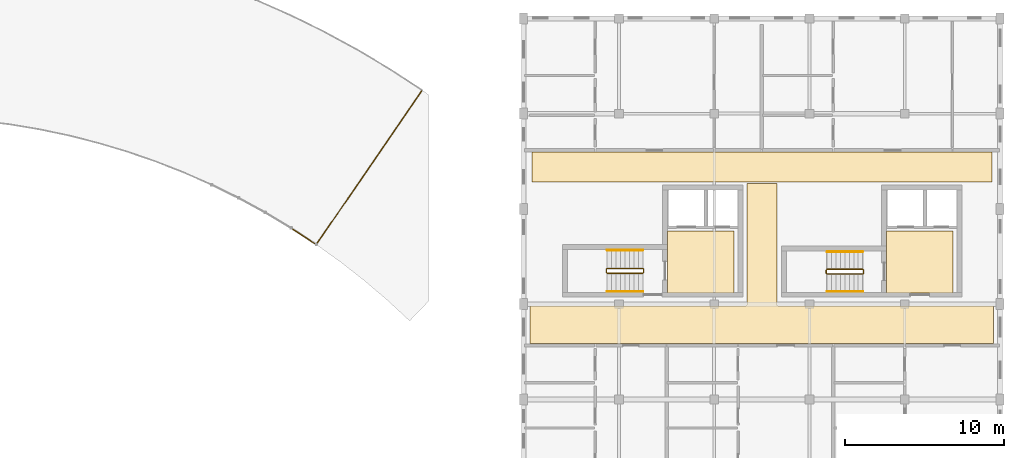
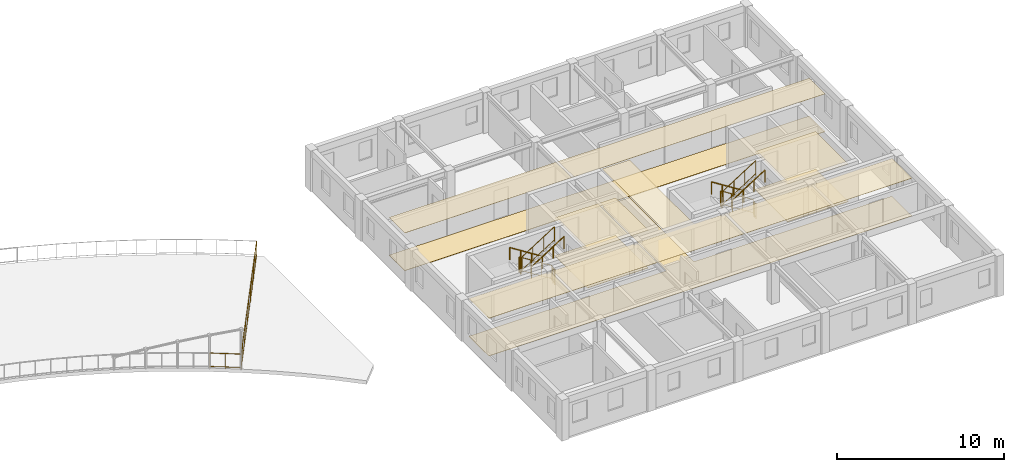
# One storey, part 57 of 58: 14 railings, 8 coverings.
"""IFC4 building model written with IfcOpenShell, lengths in metres."""

from ifc_helpers import new_model, si_unit, direction, frame, origin, origin_2d, place, context, subcontext, project, spatial, polyline, circle, outline, extrude, material, layer, layer_set, type_object, element, save


model = new_model("IFC4")

# Units and contexts
model_context = context("Model", 3, precision=1e-05, world=origin(), true_north=direction((0.0, 1.0)))
body_context = subcontext(model_context, "Body", "Model", "MODEL_VIEW")
ifc_project = project(units=[si_unit("LENGTHUNIT", "METRE"), si_unit("AREAUNIT", "SQUARE_METRE"), si_unit("VOLUMEUNIT", "CUBIC_METRE"), si_unit("PLANEANGLEUNIT", "RADIAN"), si_unit("MASSUNIT", "GRAM", prefix="KILO"), si_unit("POWERUNIT", "WATT"), si_unit("THERMODYNAMICTEMPERATUREUNIT", "KELVIN")], contexts=[model_context])

# Site, building, storey
site_placement = place(None, origin())
site = spatial("IfcSite", under=ifc_project, at=site_placement, CompositionType="ELEMENT")
building_placement = place(site_placement, origin())
building = spatial("IfcBuilding", under=site, at=building_placement, Name="Ruvembo Vaulted Housing Court", CompositionType="ELEMENT")
storey_placement = place(building_placement, frame((0.0, 0.0, 20.5)))
storey = spatial("IfcBuildingStorey", under=building, at=storey_placement, Name="L06", CompositionType="ELEMENT", Elevation=20.5)

# Coverings
ifc_material_1 = material(Name="Perforated Mineral-Fibre Acoustic Tile", Category="gypsum")
ifc_layer_1 = layer(ifc_material_1, 0.02001953125, Name="Perforated Mineral-Fibre Acoustic Tile")
ifc_layer_set_1 = layer_set([ifc_layer_1], Name="Perforated Mineral-Fibre Acoustic Tile")
covering_type_1 = type_object("IfcCoveringType", Name="COV-CEIL-ACOUST", PredefinedType="CEILING", material=ifc_layer_set_1)
covering_1_placement = place(storey_placement, frame((0.0, 0.0, 2.75)))
element("IfcCovering", 1, at=covering_1_placement, inside=storey, type_object=covering_type_1, Name="Protected Core Lobby D1 Ceiling", PredefinedType="CEILING", context=body_context, shape_type="SweptSolid", body=[
    extrude(outline(polyline([(169.25, 88.60009765625), (165.050048828125, 88.60009765625), (165.050048828125, 84.699951171875), (169.25, 84.699951171875), (169.25, 88.60009765625)])), origin(), (0.0, 0.0, 1.0), 0.02001953125),
])
covering_2_placement = place(storey_placement, frame((0.0, 0.0, 2.75)))
element("IfcCovering", 2, at=covering_2_placement, inside=storey, type_object=covering_type_1, Name="Protected Core Lobby D2 Ceiling", PredefinedType="CEILING", context=body_context, shape_type="SweptSolid", body=[
    extrude(outline(polyline([(183.050048828125, 88.60009765625), (178.85009765625, 88.60009765625), (178.85009765625, 84.699951171875), (183.050048828125, 84.699951171875), (183.050048828125, 88.60009765625)])), origin(), (0.0, 0.0, 1.0), 0.02001953125),
])
covering_3_placement = place(storey_placement, frame((0.0, 0.0, 2.75)))
element("IfcCovering", 3, at=covering_3_placement, inside=storey, type_object=covering_type_1, Name="Block D L06 Corridor Ceiling", PredefinedType="CEILING", context=body_context, shape_type="SweptSolid", body=[
    extrude(outline(polyline([(185.590087890625, 81.510009765625), (185.590087890625, 83.889892578125), (172.050048828125, 83.889892578125), (172.039306640625, 83.890380859375), (172.028564453125, 83.89208984375), (172.01806640625, 83.894775390625), (172.0078125, 83.8984375), (171.998046875, 83.903076171875), (171.989013671875, 83.908447265625), (171.980224609375, 83.9150390625), (171.97216796875, 83.922119140625), (171.965087890625, 83.93017578125), (171.95849609375, 83.93896484375), (171.952880859375, 83.947998046875), (171.948486328125, 83.9580078125), (171.944580078125, 83.968017578125), (171.942138671875, 83.978515625), (171.9404296875, 83.9892578125), (171.93994140625, 84.0), (171.93994140625, 91.590087890625), (170.06005859375, 91.590087890625), (170.06005859375, 84.0), (170.0595703125, 83.9892578125), (170.057861328125, 83.978515625), (170.055419921875, 83.968017578125), (170.051513671875, 83.9580078125), (170.047119140625, 83.947998046875), (170.04150390625, 83.93896484375), (170.034912109375, 83.93017578125), (170.02783203125, 83.922119140625), (170.019775390625, 83.9150390625), (170.010986328125, 83.908447265625), (170.001953125, 83.903076171875), (169.9921875, 83.8984375), (169.98193359375, 83.894775390625), (169.971435546875, 83.89208984375), (169.960693359375, 83.890380859375), (169.949951171875, 83.889892578125), (156.409912109375, 83.889892578125), (156.409912109375, 81.510009765625), (185.590087890625, 81.510009765625)])), origin(), (0.0, 0.0, 1.0), 0.02001953125),
])
covering_4_placement = place(storey_placement, frame((0.0, 0.0, 2.75)))
element("IfcCovering", 4, at=covering_4_placement, inside=storey, type_object=covering_type_1, Name="Block D L06 North Sub-Corridor Ceiling", PredefinedType="CEILING", context=body_context, shape_type="SweptSolid", body=[
    extrude(outline(polyline([(156.510009765625, 91.7099609375), (185.489990234375, 91.7099609375), (185.489990234375, 93.590087890625), (156.510009765625, 93.590087890625), (156.510009765625, 91.7099609375)])), origin(), (0.0, 0.0, 1.0), 0.02001953125),
])
ifc_material_2 = material(Name="Polished Cement-Aggregate Terrazzo", Category="stone")
ifc_layer_2 = layer(ifc_material_2, 0.02197265625, Name="Polished Cement-Aggregate Terrazzo")
ifc_layer_set_2 = layer_set([ifc_layer_2], Name="Polished Cement-Aggregate Terrazzo")
covering_type_2 = type_object("IfcCoveringType", Name="COV-FLR-CERAMIC", PredefinedType="FLOORING", material=ifc_layer_set_2)
covering_5_placement = place(storey_placement, origin())
element("IfcCovering", 5, at=covering_5_placement, inside=storey, type_object=covering_type_2, Name="Protected Core Lobby D1 Flooring", PredefinedType="FLOORING", context=body_context, shape_type="SweptSolid", body=[
    extrude(outline(polyline([(169.25, 88.60009765625), (165.050048828125, 88.60009765625), (165.050048828125, 84.699951171875), (169.25, 84.699951171875), (169.25, 88.60009765625)])), origin(), (0.0, 0.0, 1.0), 0.02197265625),
])
covering_6_placement = place(storey_placement, origin())
element("IfcCovering", 6, at=covering_6_placement, inside=storey, type_object=covering_type_2, Name="Protected Core Lobby D2 Flooring", PredefinedType="FLOORING", context=body_context, shape_type="SweptSolid", body=[
    extrude(outline(polyline([(183.050048828125, 88.60009765625), (178.85009765625, 88.60009765625), (178.85009765625, 84.699951171875), (183.050048828125, 84.699951171875), (183.050048828125, 88.60009765625)])), origin(), (0.0, 0.0, 1.0), 0.02197265625),
])
covering_7_placement = place(storey_placement, origin())
element("IfcCovering", 7, at=covering_7_placement, inside=storey, type_object=covering_type_2, Name="Block D L06 Corridor Flooring", PredefinedType="FLOORING", context=body_context, shape_type="SweptSolid", body=[
    extrude(outline(polyline([(185.590087890625, 81.510009765625), (185.590087890625, 83.889892578125), (172.050048828125, 83.889892578125), (172.039306640625, 83.890380859375), (172.028564453125, 83.89208984375), (172.01806640625, 83.894775390625), (172.0078125, 83.8984375), (171.998046875, 83.903076171875), (171.989013671875, 83.908447265625), (171.980224609375, 83.9150390625), (171.97216796875, 83.922119140625), (171.965087890625, 83.93017578125), (171.95849609375, 83.93896484375), (171.952880859375, 83.947998046875), (171.948486328125, 83.9580078125), (171.944580078125, 83.968017578125), (171.942138671875, 83.978515625), (171.9404296875, 83.9892578125), (171.93994140625, 84.0), (171.93994140625, 91.590087890625), (170.06005859375, 91.590087890625), (170.06005859375, 84.0), (170.0595703125, 83.9892578125), (170.057861328125, 83.978515625), (170.055419921875, 83.968017578125), (170.051513671875, 83.9580078125), (170.047119140625, 83.947998046875), (170.04150390625, 83.93896484375), (170.034912109375, 83.93017578125), (170.02783203125, 83.922119140625), (170.019775390625, 83.9150390625), (170.010986328125, 83.908447265625), (170.001953125, 83.903076171875), (169.9921875, 83.8984375), (169.98193359375, 83.894775390625), (169.971435546875, 83.89208984375), (169.960693359375, 83.890380859375), (169.949951171875, 83.889892578125), (156.409912109375, 83.889892578125), (156.409912109375, 81.510009765625), (185.590087890625, 81.510009765625)])), origin(), (0.0, 0.0, 1.0), 0.02197265625),
])
covering_8_placement = place(storey_placement, origin())
element("IfcCovering", 8, at=covering_8_placement, inside=storey, type_object=covering_type_2, Name="Block D L06 North Sub-Corridor Flooring", PredefinedType="FLOORING", context=body_context, shape_type="SweptSolid", body=[
    extrude(outline(polyline([(156.510009765625, 91.7099609375), (185.489990234375, 91.7099609375), (185.489990234375, 93.590087890625), (156.510009765625, 93.590087890625), (156.510009765625, 91.7099609375)])), origin(), (0.0, 0.0, 1.0), 0.02197265625),
])

# Railings
ifc_material_3 = material(Name="Galvanised Painted Steel and Laminated Glass", Category="steel")
ifc_layer_3 = layer(ifc_material_3, 0.070068359375, Name="Galvanised Painted Steel and Laminated Glass")
ifc_layer_set_3 = layer_set([ifc_layer_3], Name="Galvanised Painted Steel and Laminated Glass")
railing_type_1 = type_object("IfcRailingType", Name="RL-BALUST-1120", PredefinedType="BALUSTRADE", material=ifc_layer_set_3)
railing_1_placement = place(storey_placement, frame((141.343505859375, 88.794677734375, 0.0)))
element("IfcRailing", 9, at=railing_1_placement, inside=storey, type_object=railing_type_1, Name="L06 Perimeter Guard RL-EXT-L06-0853", PredefinedType="BALUSTRADE", context=body_context, shape_type="SweptSolid", body=[
    extrude(circle(Radius=0.02392578125, at=origin_2d()), frame((0.0, 0.0, 1.09619140625), z_axis=(0.835902452778, -0.548878027834, 0.0), x_axis=(0.548878027834, 0.835902452778, 0.0)), (0.0, 0.0, 1.0), 1.901123046875),
    extrude(circle(Radius=0.01806640625, at=origin_2d()), frame((0.0, 0.0, 0.1201171875), z_axis=(0.835902452778, -0.548878027834, 0.0), x_axis=(0.548878027834, 0.835902452778, 0.0)), (0.0, 0.0, 1.0), 1.901123046875),
    extrude(circle(Radius=0.02099609375, at=origin_2d()), origin(), (0.0, 0.0, 1.0), 1.072021484375),
    extrude(circle(Radius=0.02099609375, at=origin_2d()), frame((0.79443359375, -0.521728515625, 0.0)), (0.0, 0.0, 1.0), 1.072021484375),
    extrude(circle(Radius=0.02099609375, at=origin_2d()), frame((1.589111328125, -1.04345703125, 0.0)), (0.0, 0.0, 1.0), 1.072021484375),
])
railing_2_placement = place(storey_placement, frame((142.9326171875, 87.751220703125, 0.0)))
element("IfcRailing", 10, at=railing_2_placement, inside=storey, type_object=railing_type_1, Name="L06 Perimeter Guard RL-EXT-L06-0854", PredefinedType="BALUSTRADE", context=body_context, shape_type="SweptSolid", body=[
    extrude(circle(Radius=0.02392578125, at=origin_2d()), frame((0.0, 0.0, 1.09619140625), z_axis=(0.566210907392, 0.824260400814, 0.0), x_axis=(-0.824260400814, 0.566210907392, 0.0)), (0.0, 0.0, 1.0), 11.7998046875),
    extrude(circle(Radius=0.01806640625, at=origin_2d()), frame((0.0, 0.0, 0.1201171875), z_axis=(0.566210907392, 0.824260400814, 0.0), x_axis=(-0.824260400814, 0.566210907392, 0.0)), (0.0, 0.0, 1.0), 11.7998046875),
    extrude(circle(Radius=0.02099609375, at=origin_2d()), origin(), (0.0, 0.0, 1.0), 1.072021484375),
    extrude(circle(Radius=0.02099609375, at=origin_2d()), frame((0.668212890625, 0.97265625, 0.0)), (0.0, 0.0, 1.0), 1.072021484375),
    extrude(circle(Radius=0.02099609375, at=origin_2d()), frame((1.336181640625, 1.9453125, 0.0)), (0.0, 0.0, 1.0), 1.072021484375),
    extrude(circle(Radius=0.02099609375, at=origin_2d()), frame((2.00439453125, 2.917724609375, 0.0)), (0.0, 0.0, 1.0), 1.072021484375),
    extrude(circle(Radius=0.02099609375, at=origin_2d()), frame((2.67236328125, 3.890380859375, 0.0)), (0.0, 0.0, 1.0), 1.072021484375),
    extrude(circle(Radius=0.02099609375, at=origin_2d()), frame((3.340576171875, 4.863037109375, 0.0)), (0.0, 0.0, 1.0), 1.072021484375),
    extrude(circle(Radius=0.02099609375, at=origin_2d()), frame((4.0087890625, 5.835693359375, 0.0)), (0.0, 0.0, 1.0), 1.072021484375),
    extrude(circle(Radius=0.02099609375, at=origin_2d()), frame((4.6767578125, 6.808349609375, 0.0)), (0.0, 0.0, 1.0), 1.072021484375),
    extrude(circle(Radius=0.02099609375, at=origin_2d()), frame((5.344970703125, 7.78076171875, 0.0)), (0.0, 0.0, 1.0), 1.072021484375),
    extrude(circle(Radius=0.02099609375, at=origin_2d()), frame((6.012939453125, 8.75341796875, 0.0)), (0.0, 0.0, 1.0), 1.072021484375),
    extrude(circle(Radius=0.02099609375, at=origin_2d()), frame((6.68115234375, 9.72607421875, 0.0)), (0.0, 0.0, 1.0), 1.072021484375),
])
ifc_material_4 = material(Name="Painted Galvanised Steel S275", Category="steel")
ifc_layer_4 = layer(ifc_material_4, 0.06005859375, Name="Painted Galvanised Steel S275")
ifc_layer_set_4 = layer_set([ifc_layer_4], Name="Painted Galvanised Steel S275")
railing_type_2 = type_object("IfcRailingType", Name="RL-STAIR-GR1100", PredefinedType="GUARDRAIL", material=ifc_layer_set_4)
railing_3_placement = place(storey_placement, frame((163.5, 86.25, 0.177734375)))
element("IfcRailing", 11, at=railing_3_placement, inside=storey, type_object=railing_type_2, Name="L06 ST-D1 stair guard 1", PredefinedType="GUARDRAIL", context=body_context, shape_type="SweptSolid", body=[
    extrude(circle(Radius=0.02392578125, at=origin_2d()), frame((0.0, 0.0, 1.076171875), z_axis=(-0.84418770128, 0.0, 0.536047689118), x_axis=(0.0, -1.0, 0.0)), (0.0, 0.0, 1.0), 2.6533203125),
    extrude(circle(Radius=0.01806640625, at=origin_2d()), frame((0.0, 0.0, 0.1201171875), z_axis=(-0.84418770128, 0.0, 0.536047689118), x_axis=(0.0, -1.0, 0.0)), (0.0, 0.0, 1.0), 2.6533203125),
    extrude(circle(Radius=0.02099609375, at=origin_2d()), origin(), (0.0, 0.0, 1.0), 1.052001953125),
    extrude(circle(Radius=0.02099609375, at=origin_2d()), frame((-0.74658203125, 0.0, 0.47412109375)), (0.0, 0.0, 1.0), 1.052001953125),
    extrude(circle(Radius=0.02099609375, at=origin_2d()), frame((-1.493408203125, 0.0, 0.9482421875)), (0.0, 0.0, 1.0), 1.052001953125),
    extrude(circle(Radius=0.02099609375, at=origin_2d()), frame((-2.239990234375, 0.0, 1.42236328125)), (0.0, 0.0, 1.0), 1.052001953125),
])
railing_4_placement = place(storey_placement, frame((161.2099609375, 86.199951171875, 1.60009765625)))
element("IfcRailing", 12, at=railing_4_placement, inside=storey, type_object=railing_type_2, Name="L06 ST-D1 stair guard 2", PredefinedType="GUARDRAIL", context=body_context, shape_type="SweptSolid", body=[
    extrude(circle(Radius=0.02392578125, at=origin_2d()), frame((0.0, 0.0, 1.076171875), z_axis=(0.0, -1.0, 0.0), x_axis=(1.0, 0.0, 0.0)), (0.0, 0.0, 1.0), 0.199951171875),
    extrude(circle(Radius=0.01806640625, at=origin_2d()), frame((0.0, 0.0, 0.1201171875), z_axis=(0.0, -1.0, 0.0), x_axis=(1.0, 0.0, 0.0)), (0.0, 0.0, 1.0), 0.199951171875),
    extrude(circle(Radius=0.02099609375, at=origin_2d()), origin(), (0.0, 0.0, 1.0), 1.052001953125),
    extrude(circle(Radius=0.02099609375, at=origin_2d()), frame((0.0, -0.199951171875, 0.0)), (0.0, 0.0, 1.0), 1.052001953125),
])
railing_5_placement = place(storey_placement, frame((161.260009765625, 85.949951171875, 1.77783203125)))
element("IfcRailing", 13, at=railing_5_placement, inside=storey, type_object=railing_type_2, Name="L06 ST-D1 stair guard 3", PredefinedType="GUARDRAIL", context=body_context, shape_type="SweptSolid", body=[
    extrude(circle(Radius=0.02392578125, at=origin_2d()), frame((0.0, 0.0, 1.076171875), z_axis=(0.8442293374, 0.0, 0.53598211339), x_axis=(0.0, 1.0, 0.0)), (0.0, 0.0, 1.0), 2.6533203125),
    extrude(circle(Radius=0.01806640625, at=origin_2d()), frame((0.0, 0.0, 0.1201171875), z_axis=(0.8442293374, 0.0, 0.53598211339), x_axis=(0.0, 1.0, 0.0)), (0.0, 0.0, 1.0), 2.6533203125),
    extrude(circle(Radius=0.02099609375, at=origin_2d()), origin(), (0.0, 0.0, 1.0), 1.052001953125),
    extrude(circle(Radius=0.02099609375, at=origin_2d()), frame((0.74658203125, 0.0, 0.47412109375)), (0.0, 0.0, 1.0), 1.052001953125),
    extrude(circle(Radius=0.02099609375, at=origin_2d()), frame((1.493408203125, 0.0, 0.947998046875)), (0.0, 0.0, 1.0), 1.052001953125),
    extrude(circle(Radius=0.02099609375, at=origin_2d()), frame((2.239990234375, 0.0, 1.422119140625)), (0.0, 0.0, 1.0), 1.052001953125),
])
railing_6_placement = place(storey_placement, frame((163.550048828125, 86.199951171875, 0.0)))
element("IfcRailing", 14, at=railing_6_placement, inside=storey, type_object=railing_type_2, Name="L06 ST-D1 stair guard 4", PredefinedType="GUARDRAIL", context=body_context, shape_type="SweptSolid", body=[
    extrude(circle(Radius=0.02392578125, at=origin_2d()), frame((0.0, 0.0, 1.076171875), z_axis=(0.0, -1.0, 0.0), x_axis=(1.0, 0.0, 0.0)), (0.0, 0.0, 1.0), 0.199951171875),
    extrude(circle(Radius=0.01806640625, at=origin_2d()), frame((0.0, 0.0, 0.1201171875), z_axis=(0.0, -1.0, 0.0), x_axis=(1.0, 0.0, 0.0)), (0.0, 0.0, 1.0), 0.199951171875),
    extrude(circle(Radius=0.02099609375, at=origin_2d()), origin(), (0.0, 0.0, 1.0), 1.052001953125),
    extrude(circle(Radius=0.02099609375, at=origin_2d()), frame((0.0, -0.199951171875, 0.0)), (0.0, 0.0, 1.0), 1.052001953125),
])
railing_7_placement = place(storey_placement, frame((177.35009765625, 86.199951171875, 0.177734375)))
element("IfcRailing", 15, at=railing_7_placement, inside=storey, type_object=railing_type_2, Name="L06 ST-D2 stair guard 1", PredefinedType="GUARDRAIL", context=body_context, shape_type="SweptSolid", body=[
    extrude(circle(Radius=0.02392578125, at=origin_2d()), frame((0.0, 0.0, 1.076171875), z_axis=(-0.84418770128, 0.0, 0.536047689118), x_axis=(0.0, -1.0, 0.0)), (0.0, 0.0, 1.0), 2.6533203125),
    extrude(circle(Radius=0.01806640625, at=origin_2d()), frame((0.0, 0.0, 0.1201171875), z_axis=(-0.84418770128, 0.0, 0.536047689118), x_axis=(0.0, -1.0, 0.0)), (0.0, 0.0, 1.0), 2.6533203125),
    extrude(circle(Radius=0.02099609375, at=origin_2d()), origin(), (0.0, 0.0, 1.0), 1.052001953125),
    extrude(circle(Radius=0.02099609375, at=origin_2d()), frame((-0.74658203125, 0.0, 0.47412109375)), (0.0, 0.0, 1.0), 1.052001953125),
    extrude(circle(Radius=0.02099609375, at=origin_2d()), frame((-1.493408203125, 0.0, 0.9482421875)), (0.0, 0.0, 1.0), 1.052001953125),
    extrude(circle(Radius=0.02099609375, at=origin_2d()), frame((-2.239990234375, 0.0, 1.42236328125)), (0.0, 0.0, 1.0), 1.052001953125),
])
railing_8_placement = place(storey_placement, frame((175.06005859375, 86.14990234375, 1.60009765625)))
element("IfcRailing", 16, at=railing_8_placement, inside=storey, type_object=railing_type_2, Name="L06 ST-D2 stair guard 2", PredefinedType="GUARDRAIL", context=body_context, shape_type="SweptSolid", body=[
    extrude(circle(Radius=0.02392578125, at=origin_2d()), frame((0.0, 0.0, 1.076171875), z_axis=(0.0, -1.0, 0.0), x_axis=(1.0, 0.0, 0.0)), (0.0, 0.0, 1.0), 0.199951171875),
    extrude(circle(Radius=0.01806640625, at=origin_2d()), frame((0.0, 0.0, 0.1201171875), z_axis=(0.0, -1.0, 0.0), x_axis=(1.0, 0.0, 0.0)), (0.0, 0.0, 1.0), 0.199951171875),
    extrude(circle(Radius=0.02099609375, at=origin_2d()), origin(), (0.0, 0.0, 1.0), 1.052001953125),
    extrude(circle(Radius=0.02099609375, at=origin_2d()), frame((0.0, -0.199951171875, 0.0)), (0.0, 0.0, 1.0), 1.052001953125),
])
railing_9_placement = place(storey_placement, frame((175.110107421875, 85.89990234375, 1.77783203125)))
element("IfcRailing", 17, at=railing_9_placement, inside=storey, type_object=railing_type_2, Name="L06 ST-D2 stair guard 3", PredefinedType="GUARDRAIL", context=body_context, shape_type="SweptSolid", body=[
    extrude(circle(Radius=0.02392578125, at=origin_2d()), frame((0.0, 0.0, 1.076171875), z_axis=(0.8442293374, 0.0, 0.53598211339), x_axis=(0.0, 1.0, 0.0)), (0.0, 0.0, 1.0), 2.6533203125),
    extrude(circle(Radius=0.01806640625, at=origin_2d()), frame((0.0, 0.0, 0.1201171875), z_axis=(0.8442293374, 0.0, 0.53598211339), x_axis=(0.0, 1.0, 0.0)), (0.0, 0.0, 1.0), 2.6533203125),
    extrude(circle(Radius=0.02099609375, at=origin_2d()), origin(), (0.0, 0.0, 1.0), 1.052001953125),
    extrude(circle(Radius=0.02099609375, at=origin_2d()), frame((0.74658203125, 0.0, 0.47412109375)), (0.0, 0.0, 1.0), 1.052001953125),
    extrude(circle(Radius=0.02099609375, at=origin_2d()), frame((1.493408203125, 0.0, 0.947998046875)), (0.0, 0.0, 1.0), 1.052001953125),
    extrude(circle(Radius=0.02099609375, at=origin_2d()), frame((2.239990234375, 0.0, 1.422119140625)), (0.0, 0.0, 1.0), 1.052001953125),
])
railing_10_placement = place(storey_placement, frame((177.39990234375, 86.14990234375, 0.0)))
element("IfcRailing", 18, at=railing_10_placement, inside=storey, type_object=railing_type_2, Name="L06 ST-D2 stair guard 4", PredefinedType="GUARDRAIL", context=body_context, shape_type="SweptSolid", body=[
    extrude(circle(Radius=0.02392578125, at=origin_2d()), frame((0.0, 0.0, 1.076171875), z_axis=(0.0, -1.0, 0.0), x_axis=(1.0, 0.0, 0.0)), (0.0, 0.0, 1.0), 0.199951171875),
    extrude(circle(Radius=0.01806640625, at=origin_2d()), frame((0.0, 0.0, 0.1201171875), z_axis=(0.0, -1.0, 0.0), x_axis=(1.0, 0.0, 0.0)), (0.0, 0.0, 1.0), 0.199951171875),
    extrude(circle(Radius=0.02099609375, at=origin_2d()), origin(), (0.0, 0.0, 1.0), 1.052001953125),
    extrude(circle(Radius=0.02099609375, at=origin_2d()), frame((0.0, -0.199951171875, 0.0)), (0.0, 0.0, 1.0), 1.052001953125),
])
ifc_material_5 = material(Name="Brushed Stainless Steel 304", Category="steel")
ifc_layer_5 = layer(ifc_material_5, 0.050048828125, Name="Brushed Stainless Steel 304")
ifc_layer_set_5 = layer_set([ifc_layer_5], Name="Brushed Stainless Steel 304")
railing_type_3 = type_object("IfcRailingType", Name="RL-STAIR-HR920", PredefinedType="HANDRAIL", material=ifc_layer_set_5)
railing_11_placement = place(storey_placement, frame((163.5, 87.39990234375, 0.359375)))
element("IfcRailing", 19, at=railing_11_placement, inside=storey, type_object=railing_type_3, Name="L06 ST-D1 stair handrail 1", PredefinedType="HANDRAIL", context=body_context, shape_type="SweptSolid", body=[
    extrude(circle(Radius=0.02392578125, at=origin_2d()), frame((0.0, 0.0, 0.8759765625), z_axis=(-0.8442293374, 0.0, 0.53598211339), x_axis=(0.0, -1.0, 0.0)), (0.0, 0.0, 1.0), 2.6533203125),
    extrude(circle(Radius=0.02099609375, at=origin_2d()), origin(), (0.0, 0.0, 1.0), 0.851806640625),
    extrude(circle(Radius=0.02099609375, at=origin_2d()), frame((-0.74658203125, 0.0, 0.47412109375)), (0.0, 0.0, 1.0), 0.851806640625),
    extrude(circle(Radius=0.02099609375, at=origin_2d()), frame((-1.493408203125, 0.0, 0.947998046875)), (0.0, 0.0, 1.0), 0.851806640625),
    extrude(circle(Radius=0.02099609375, at=origin_2d()), frame((-2.239990234375, 0.0, 1.422119140625)), (0.0, 0.0, 1.0), 0.851806640625),
])
railing_12_placement = place(storey_placement, frame((161.260009765625, 84.800048828125, 1.959228515625)))
element("IfcRailing", 20, at=railing_12_placement, inside=storey, type_object=railing_type_3, Name="L06 ST-D1 stair handrail 2", PredefinedType="HANDRAIL", context=body_context, shape_type="SweptSolid", body=[
    extrude(circle(Radius=0.02392578125, at=origin_2d()), frame((0.0, 0.0, 0.8759765625), z_axis=(0.84418770128, 0.0, 0.536047689118), x_axis=(0.0, 1.0, 0.0)), (0.0, 0.0, 1.0), 2.6533203125),
    extrude(circle(Radius=0.02099609375, at=origin_2d()), origin(), (0.0, 0.0, 1.0), 0.851806640625),
    extrude(circle(Radius=0.02099609375, at=origin_2d()), frame((0.74658203125, 0.0, 0.47412109375)), (0.0, 0.0, 1.0), 0.851806640625),
    extrude(circle(Radius=0.02099609375, at=origin_2d()), frame((1.493408203125, 0.0, 0.9482421875)), (0.0, 0.0, 1.0), 0.851806640625),
    extrude(circle(Radius=0.02099609375, at=origin_2d()), frame((2.239990234375, 0.0, 1.42236328125)), (0.0, 0.0, 1.0), 0.851806640625),
])
railing_13_placement = place(storey_placement, frame((177.35009765625, 87.300048828125, 0.359375)))
element("IfcRailing", 21, at=railing_13_placement, inside=storey, type_object=railing_type_3, Name="L06 ST-D2 stair handrail 1", PredefinedType="HANDRAIL", context=body_context, shape_type="SweptSolid", body=[
    extrude(circle(Radius=0.02392578125, at=origin_2d()), frame((0.0, 0.0, 0.8759765625), z_axis=(-0.8442293374, 0.0, 0.53598211339), x_axis=(0.0, -1.0, 0.0)), (0.0, 0.0, 1.0), 2.6533203125),
    extrude(circle(Radius=0.02099609375, at=origin_2d()), origin(), (0.0, 0.0, 1.0), 0.851806640625),
    extrude(circle(Radius=0.02099609375, at=origin_2d()), frame((-0.74658203125, 0.0, 0.47412109375)), (0.0, 0.0, 1.0), 0.851806640625),
    extrude(circle(Radius=0.02099609375, at=origin_2d()), frame((-1.493408203125, 0.0, 0.947998046875)), (0.0, 0.0, 1.0), 0.851806640625),
    extrude(circle(Radius=0.02099609375, at=origin_2d()), frame((-2.239990234375, 0.0, 1.422119140625)), (0.0, 0.0, 1.0), 0.851806640625),
])
railing_14_placement = place(storey_placement, frame((175.110107421875, 84.800048828125, 1.959228515625)))
element("IfcRailing", 22, at=railing_14_placement, inside=storey, type_object=railing_type_3, Name="L06 ST-D2 stair handrail 2", PredefinedType="HANDRAIL", context=body_context, shape_type="SweptSolid", body=[
    extrude(circle(Radius=0.02392578125, at=origin_2d()), frame((0.0, 0.0, 0.8759765625), z_axis=(0.84418770128, 0.0, 0.536047689118), x_axis=(0.0, 1.0, 0.0)), (0.0, 0.0, 1.0), 2.6533203125),
    extrude(circle(Radius=0.02099609375, at=origin_2d()), origin(), (0.0, 0.0, 1.0), 0.851806640625),
    extrude(circle(Radius=0.02099609375, at=origin_2d()), frame((0.74658203125, 0.0, 0.47412109375)), (0.0, 0.0, 1.0), 0.851806640625),
    extrude(circle(Radius=0.02099609375, at=origin_2d()), frame((1.493408203125, 0.0, 0.9482421875)), (0.0, 0.0, 1.0), 0.851806640625),
    extrude(circle(Radius=0.02099609375, at=origin_2d()), frame((2.239990234375, 0.0, 1.42236328125)), (0.0, 0.0, 1.0), 0.851806640625),
])

save(model, "model.ifc")
